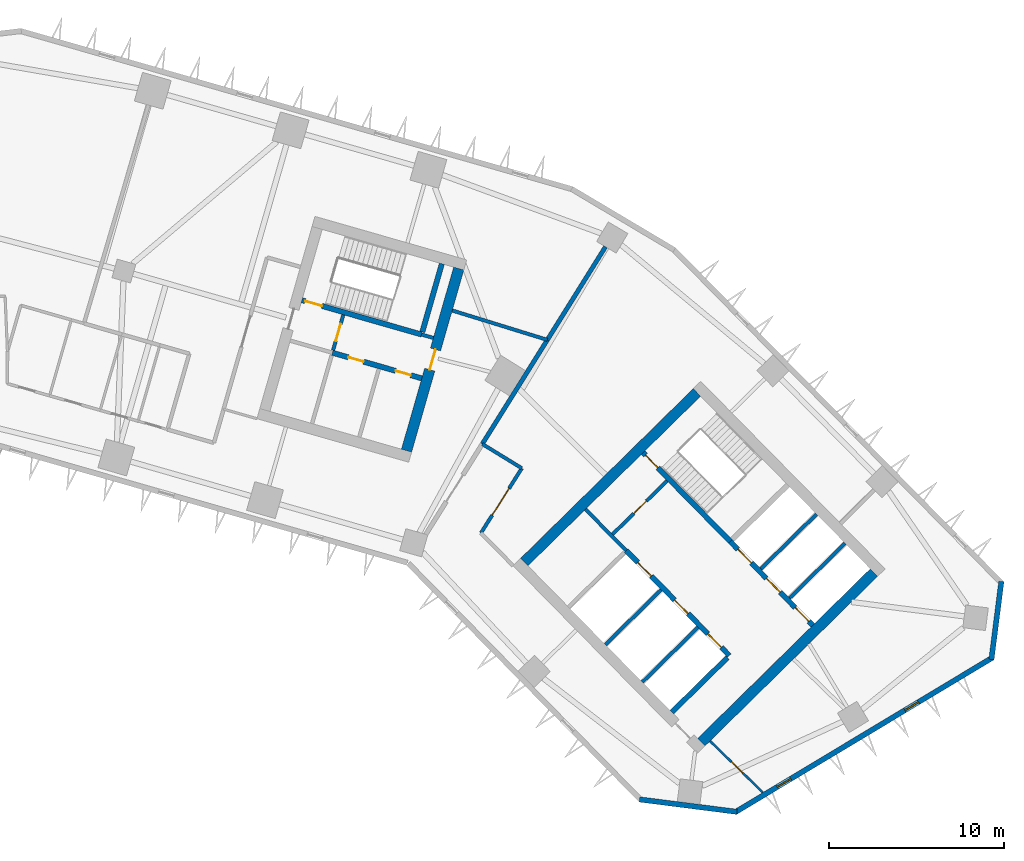
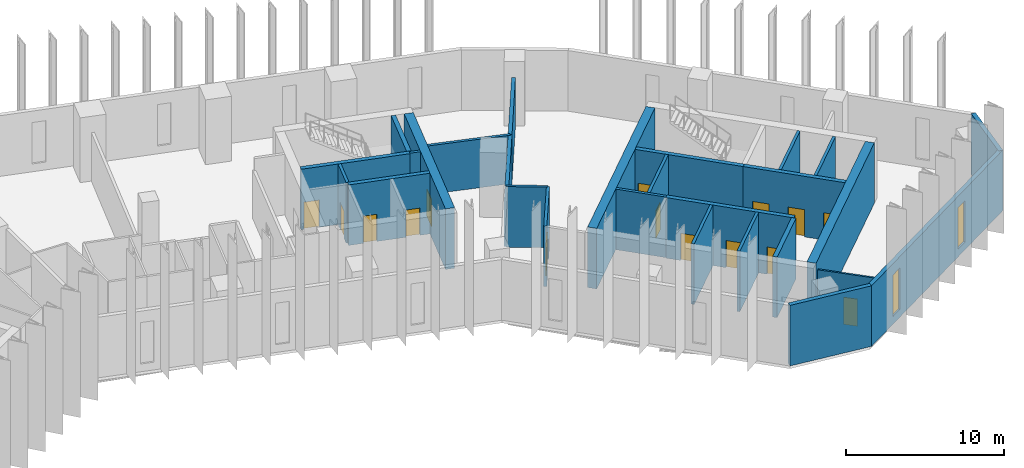
# One storey, part 6 of 11: 27 walls, 15 doors, 2 windows, 17 openings.
"""IFC4 building model written with IfcOpenShell, lengths in metres."""

from ifc_helpers import new_model, si_unit, direction, frame, frame_2d, origin, place, context, subcontext, project, spatial, rectangle, extrude, material, layer, layer_set, type_object, element, fill, save


model = new_model("IFC4")

# Units and contexts
model_context = context("Model", 3, precision=1e-05, world=origin(), true_north=direction((0.0, 1.0)))
body_context = subcontext(model_context, "Body", "Model", "MODEL_VIEW")
ifc_project = project(units=[si_unit("LENGTHUNIT", "METRE"), si_unit("AREAUNIT", "SQUARE_METRE"), si_unit("VOLUMEUNIT", "CUBIC_METRE"), si_unit("PLANEANGLEUNIT", "RADIAN"), si_unit("MASSUNIT", "GRAM", prefix="KILO")], contexts=[model_context])

# Site, building, storey
site_placement = place(None, origin())
site = spatial("IfcSite", under=ifc_project, at=site_placement, CompositionType="ELEMENT")
building_placement = place(site_placement, origin())
building = spatial("IfcBuilding", under=site, at=building_placement, Name="Binnacle Exchange Tower", CompositionType="ELEMENT")
storey_placement = place(building_placement, frame((0.0, 0.0, 46.5)))
storey = spatial("IfcBuildingStorey", under=building, at=storey_placement, Name="L09", CompositionType="ELEMENT", Elevation=46.5)

# Wall, openings, doors
ifc_material_1 = material(Name="Concrete C70/85", Category="concrete")
ifc_layer_1 = layer(ifc_material_1, 0.300048828125)
ifc_layer_set_1 = layer_set([ifc_layer_1], Name="Core wall - front 300")
wall_type_1 = type_object("IfcWallType", Name="Core wall - front 300", PredefinedType="SOLIDWALL", material=ifc_layer_set_1)
wall_1_placement = place(storey_placement, frame((37.8740234375, 41.41552734375, 0.0), z_axis=(0.0, 0.0, 1.0), x_axis=(0.700918271237, -0.71324159795, 0.0)))
wall_1 = element("IfcWall", 1, at=wall_1_placement, inside=storey, type_object=wall_type_1, Name="Core wall CRWB3", PredefinedType="SOLIDWALL", context=body_context, shape_type="SweptSolid", body=[
    extrude(rectangle(XDim=8.39990234375, YDim=0.300048828125, at=frame_2d((4.199951171875, 0.0))), origin(), (0.0, 0.0, 1.0), 4.679931640625),
])
opening_1_placement = place(wall_1_placement, frame((0.949951171875, 0.0, 0.0)))
opening_1 = element("IfcOpeningElement", 2, at=opening_1_placement, cuts=wall_1, Name="Opening LD15", PredefinedType="OPENING", context=body_context, shape_type="SweptSolid", body=[
    extrude(rectangle(XDim=1.10009765625, YDim=2.10009765625, at=frame_2d((0.550048828125, 1.050048828125))), frame((0.0, 0.159912109375, 0.0), z_axis=(0.0, -1.0, 0.0), x_axis=(1.0, 0.0, 0.0)), (0.0, 0.0, 1.0), 0.320068359375),
])
opening_2_placement = place(wall_1_placement, frame((3.949951171875, 0.0, 0.0)))
opening_2 = element("IfcOpeningElement", 3, at=opening_2_placement, cuts=wall_1, Name="Opening LD16", PredefinedType="OPENING", context=body_context, shape_type="SweptSolid", body=[
    extrude(rectangle(XDim=1.10009765625, YDim=2.10009765625, at=frame_2d((0.550048828125, 1.050048828125))), frame((0.0, 0.159912109375, 0.0), z_axis=(0.0, -1.0, 0.0), x_axis=(1.0, 0.0, 0.0)), (0.0, 0.0, 1.0), 0.320068359375),
])
opening_3_placement = place(wall_1_placement, frame((6.64990234375, 0.0, 0.0)))
opening_3 = element("IfcOpeningElement", 4, at=opening_3_placement, cuts=wall_1, Name="Opening LD4", PredefinedType="OPENING", context=body_context, shape_type="SweptSolid", body=[
    extrude(rectangle(XDim=1.10009765625, YDim=2.10009765625, at=frame_2d((0.550048828125, 1.050048828125))), frame((0.0, 0.159912109375, 0.0), z_axis=(0.0, -1.0, 0.0), x_axis=(1.0, 0.0, 0.0)), (0.0, 0.0, 1.0), 0.320068359375),
])
ifc_material_2 = material(Name="Steel door leaf", Category="steel")
door_type_1 = type_object("IfcDoorType", Name="Fire door - lift landing 1100", OperationType="NOTDEFINED", PredefinedType="DOOR", material=ifc_material_2)
door_1_placement = place(opening_1_placement, origin())
door_1 = element("IfcDoor", 5, at=door_1_placement, inside=storey, type_object=door_type_1, Name="Landing door LD15 L09", OperationType="DOUBLE_DOOR_SLIDING", OverallHeight=2.10009765625, OverallWidth=1.10009765625, PredefinedType="DOOR", context=body_context, shape_type="SweptSolid", body=[
    extrude(rectangle(XDim=1.10009765625, YDim=2.10009765625, at=frame_2d((0.550048828125, 1.050048828125))), frame((0.0, 0.02490234375, 0.0), z_axis=(0.0, -1.0, 0.0), x_axis=(1.0, 0.0, 0.0)), (0.0, 0.0, 1.0), 0.050048828125),
])
fill(opening_1, door_1)
door_2_placement = place(opening_2_placement, origin())
door_2 = element("IfcDoor", 6, at=door_2_placement, inside=storey, type_object=door_type_1, Name="Landing door LD16 L09", OperationType="DOUBLE_DOOR_SLIDING", OverallHeight=2.10009765625, OverallWidth=1.10009765625, PredefinedType="DOOR", context=body_context, shape_type="SweptSolid", body=[
    extrude(rectangle(XDim=1.10009765625, YDim=2.10009765625, at=frame_2d((0.550048828125, 1.050048828125))), frame((0.0, 0.02490234375, 0.0), z_axis=(0.0, -1.0, 0.0), x_axis=(1.0, 0.0, 0.0)), (0.0, 0.0, 1.0), 0.050048828125),
])
fill(opening_2, door_2)
door_3_placement = place(opening_3_placement, origin())
door_3 = element("IfcDoor", 7, at=door_3_placement, inside=storey, type_object=door_type_1, Name="Landing door LD4 L09", OperationType="DOUBLE_DOOR_SLIDING", OverallHeight=2.10009765625, OverallWidth=1.10009765625, PredefinedType="DOOR", context=body_context, shape_type="SweptSolid", body=[
    extrude(rectangle(XDim=1.10009765625, YDim=2.10009765625, at=frame_2d((0.550048828125, 1.050048828125))), frame((0.0, 0.02490234375, 0.0), z_axis=(0.0, -1.0, 0.0), x_axis=(1.0, 0.0, 0.0)), (0.0, 0.0, 1.0), 0.050048828125),
])
fill(opening_3, door_3)

wall_2_placement = place(storey_placement, frame((43.818603515625, 41.92919921875, 0.0), z_axis=(0.0, 0.0, 1.0), x_axis=(0.700921619155, -0.713238307862, 0.0)))
wall_2 = element("IfcWall", 8, at=wall_2_placement, inside=storey, type_object=wall_type_1, Name="Core wall CRWB5", PredefinedType="SOLIDWALL", context=body_context, shape_type="SweptSolid", body=[
    extrude(rectangle(XDim=6.69970703125, YDim=0.300048828125, at=frame_2d((3.349853515625, 0.0))), origin(), (0.0, 0.0, 1.0), 4.679931640625),
])
opening_4_placement = place(wall_2_placement, frame((0.614990234375, 0.0, 0.0)))
opening_4 = element("IfcOpeningElement", 9, at=opening_4_placement, cuts=wall_2, Name="Opening LD1", PredefinedType="OPENING", context=body_context, shape_type="SweptSolid", body=[
    extrude(rectangle(XDim=1.10009765625, YDim=2.10009765625, at=frame_2d((0.550048828125, 1.050048828125))), frame((0.0, 0.159912109375, 0.0), z_axis=(0.0, -1.0, 0.0), x_axis=(1.0, 0.0, 0.0)), (0.0, 0.0, 1.0), 0.320068359375),
])
opening_5_placement = place(wall_2_placement, frame((2.945068359375, 0.0, 0.0)))
opening_5 = element("IfcOpeningElement", 10, at=opening_5_placement, cuts=wall_2, Name="Opening LD2", PredefinedType="OPENING", context=body_context, shape_type="SweptSolid", body=[
    extrude(rectangle(XDim=1.10009765625, YDim=2.10009765625, at=frame_2d((0.550048828125, 1.050048828125))), frame((0.0, 0.159912109375, 0.0), z_axis=(0.0, -1.0, 0.0), x_axis=(1.0, 0.0, 0.0)), (0.0, 0.0, 1.0), 0.320068359375),
])
opening_6_placement = place(wall_2_placement, frame((5.280029296875, 0.0, 0.0)))
opening_6 = element("IfcOpeningElement", 11, at=opening_6_placement, cuts=wall_2, Name="Opening LD3", PredefinedType="OPENING", context=body_context, shape_type="SweptSolid", body=[
    extrude(rectangle(XDim=1.10009765625, YDim=2.10009765625, at=frame_2d((0.550048828125, 1.050048828125))), frame((0.0, 0.159912109375, 0.0), z_axis=(0.0, -1.0, 0.0), x_axis=(1.0, 0.0, 0.0)), (0.0, 0.0, 1.0), 0.320068359375),
])
door_4_placement = place(opening_4_placement, origin())
door_4 = element("IfcDoor", 12, at=door_4_placement, inside=storey, type_object=door_type_1, Name="Landing door LD1 L09", OperationType="DOUBLE_DOOR_SLIDING", OverallHeight=2.10009765625, OverallWidth=1.10009765625, PredefinedType="DOOR", context=body_context, shape_type="SweptSolid", body=[
    extrude(rectangle(XDim=1.10009765625, YDim=2.10009765625, at=frame_2d((0.550048828125, 1.050048828125))), frame((0.0, 0.02490234375, 0.0), z_axis=(0.0, -1.0, 0.0), x_axis=(1.0, 0.0, 0.0)), (0.0, 0.0, 1.0), 0.050048828125),
])
fill(opening_4, door_4)
door_5_placement = place(opening_5_placement, origin())
door_5 = element("IfcDoor", 13, at=door_5_placement, inside=storey, type_object=door_type_1, Name="Landing door LD2 L09", OperationType="DOUBLE_DOOR_SLIDING", OverallHeight=2.10009765625, OverallWidth=1.10009765625, PredefinedType="DOOR", context=body_context, shape_type="SweptSolid", body=[
    extrude(rectangle(XDim=1.10009765625, YDim=2.10009765625, at=frame_2d((0.550048828125, 1.050048828125))), frame((0.0, 0.02490234375, 0.0), z_axis=(0.0, -1.0, 0.0), x_axis=(1.0, 0.0, 0.0)), (0.0, 0.0, 1.0), 0.050048828125),
])
fill(opening_5, door_5)
door_6_placement = place(opening_6_placement, origin())
door_6 = element("IfcDoor", 14, at=door_6_placement, inside=storey, type_object=door_type_1, Name="Landing door LD3 L09", OperationType="DOUBLE_DOOR_SLIDING", OverallHeight=2.10009765625, OverallWidth=1.10009765625, PredefinedType="DOOR", context=body_context, shape_type="SweptSolid", body=[
    extrude(rectangle(XDim=1.10009765625, YDim=2.10009765625, at=frame_2d((0.550048828125, 1.050048828125))), frame((0.0, 0.02490234375, 0.0), z_axis=(0.0, -1.0, 0.0), x_axis=(1.0, 0.0, 0.0)), (0.0, 0.0, 1.0), 0.050048828125),
])
fill(opening_6, door_6)

# Wall
wall_3_placement = place(storey_placement, frame((40.480712890625, 32.199951171875, 0.0), z_axis=(0.0, 0.0, 1.0), x_axis=(0.713251741427, 0.700907949271, 0.0)))
element("IfcWall", 15, at=wall_3_placement, inside=storey, type_object=wall_type_1, Name="Core wall CRWB14", PredefinedType="SOLIDWALL", context=body_context, shape_type="SweptSolid", body=[
    extrude(rectangle(XDim=4.4501953125, YDim=0.300048828125, at=frame_2d((2.22509765625, 0.0))), origin(), (0.0, 0.0, 1.0), 4.679931640625),
])

# Wall, openings, doors
wall_4_placement = place(storey_placement, frame((21.130859375, 52.6923828125, 0.0), z_axis=(0.0, 0.0, 1.0), x_axis=(0.961271492568, -0.275603188616, 0.0)))
wall_4 = element("IfcWall", 16, at=wall_4_placement, inside=storey, type_object=wall_type_1, Name="Core wall CRWD3", PredefinedType="SOLIDWALL", context=body_context, shape_type="SweptSolid", body=[
    extrude(rectangle(XDim=5.300048828125, YDim=0.300048828125, at=frame_2d((2.64990234375, 0.0))), origin(), (0.0, 0.0, 1.0), 4.679931640625),
])
opening_7_placement = place(wall_4_placement, frame((0.949951171875, 0.0, 0.0)))
opening_7 = element("IfcOpeningElement", 17, at=opening_7_placement, cuts=wall_4, Name="Opening DD10", PredefinedType="OPENING", context=body_context, shape_type="SweptSolid", body=[
    extrude(rectangle(XDim=0.89990234375, YDim=2.10009765625, at=frame_2d((0.449951171875, 1.050048828125))), frame((0.0, 0.159912109375, 0.0), z_axis=(0.0, -1.0, 0.0), x_axis=(1.0, 0.0, 0.0)), (0.0, 0.0, 1.0), 0.320068359375),
])
opening_8_placement = place(wall_4_placement, frame((3.75, 0.0, 0.0)))
opening_8 = element("IfcOpeningElement", 18, at=opening_8_placement, cuts=wall_4, Name="Opening DD11", PredefinedType="OPENING", context=body_context, shape_type="SweptSolid", body=[
    extrude(rectangle(XDim=0.89990234375, YDim=2.10009765625, at=frame_2d((0.449951171875, 1.050048828125))), frame((0.0, 0.159912109375, 0.0), z_axis=(0.0, -1.0, 0.0), x_axis=(1.0, 0.0, 0.0)), (0.0, 0.0, 1.0), 0.320068359375),
])
door_type_2 = type_object("IfcDoorType", Name="Fire door 900", OperationType="NOTDEFINED", PredefinedType="DOOR", material=ifc_material_2)
door_7_placement = place(opening_7_placement, frame((0.89990234375, 0.0, 0.0), z_axis=(0.0, 0.0, 1.0), x_axis=(-1.0, 0.0, 0.0)))
door_7 = element("IfcDoor", 19, at=door_7_placement, inside=storey, type_object=door_type_2, Name="Core room door FIBRE ENTRY ROOM", OperationType="SINGLE_SWING_RIGHT", OverallHeight=2.10009765625, OverallWidth=0.89990234375, PredefinedType="DOOR", context=body_context, shape_type="SweptSolid", body=[
    extrude(rectangle(XDim=0.89990234375, YDim=2.10009765625, at=frame_2d((0.449951171875, 1.050048828125))), frame((0.0, 0.02490234375, 0.0), z_axis=(0.0, -1.0, 0.0), x_axis=(1.0, 0.0, 0.0)), (0.0, 0.0, 1.0), 0.050048828125),
])
fill(opening_7, door_7)
door_8_placement = place(opening_8_placement, frame((0.89990234375, 0.0, 0.0), z_axis=(0.0, 0.0, 1.0), x_axis=(-1.0, 0.0, 0.0)))
door_8 = element("IfcDoor", 20, at=door_8_placement, inside=storey, type_object=door_type_2, Name="Core room door ELECTRICAL ROOM", OperationType="SINGLE_SWING_LEFT", OverallHeight=2.10009765625, OverallWidth=0.89990234375, PredefinedType="DOOR", context=body_context, shape_type="SweptSolid", body=[
    extrude(rectangle(XDim=0.89990234375, YDim=2.10009765625, at=frame_2d((0.449951171875, 1.050048828125))), frame((0.0, 0.02490234375, 0.0), z_axis=(0.0, -1.0, 0.0), x_axis=(1.0, 0.0, 0.0)), (0.0, 0.0, 1.0), 0.050048828125),
])
fill(opening_8, door_8)

# Walls
ifc_layer_2 = layer(ifc_material_1, 0.60009765625)
ifc_layer_set_2 = layer_set([ifc_layer_2], Name="Core wall - outer 600")
wall_type_2 = type_object("IfcWallType", Name="Core wall - outer 600", PredefinedType="SOLIDWALL", material=ifc_layer_set_2)
for number, where, z_axis, x_axis, name in (
    (21, (32.06982421875, 40.759033203125, 0.0), (0.0, 0.0, 1.0), (0.713245344712, 0.70091445858, 0.0), "Core wall CRWB7"),
    (22, (42.1630859375, 30.48828125, 0.0), (0.0, 0.0, 1.0), (0.713245344712, 0.70091445858, 0.0), "Core wall CRWB16"),
):
    element("IfcWall", number, at=place(storey_placement, frame(where, z_axis=z_axis, x_axis=x_axis)), inside=storey, type_object=wall_type_2, Name=name, PredefinedType="SOLIDWALL", context=body_context, shape_type="SweptSolid", body=[
        extrude(rectangle(XDim=13.800048828125, YDim=0.60009765625, at=frame_2d((6.89990234375, 0.0))), origin(), (0.0, 0.0, 1.0), 4.679931640625),
    ])

# Wall, opening, door
wall_5_placement = place(storey_placement, frame((25.356201171875, 47.111572265625, 0.0), z_axis=(0.0, 0.0, 1.0), x_axis=(0.275631631629, 0.961263337304, 0.0)))
wall_5 = element("IfcWall", 23, at=wall_5_placement, inside=storey, type_object=wall_type_2, Name="Core wall CRWD12", PredefinedType="SOLIDWALL", context=body_context, shape_type="SweptSolid", body=[
    extrude(rectangle(XDim=10.800048828125, YDim=0.60009765625, at=frame_2d((5.39990234375, 0.0))), origin(), (0.0, 0.0, 1.0), 4.679931640625),
])
opening_9_placement = place(wall_5_placement, frame((4.800048828125, 0.0, 0.0)))
opening_9 = element("IfcOpeningElement", 24, at=opening_9_placement, cuts=wall_5, Name="Opening DD6", PredefinedType="OPENING", context=body_context, shape_type="SweptSolid", body=[
    extrude(rectangle(XDim=1.199951171875, YDim=2.10009765625, at=frame_2d((0.60009765625, 1.050048828125))), frame((0.0, 0.31005859375, 0.0), z_axis=(0.0, -1.0, 0.0), x_axis=(1.0, 0.0, 0.0)), (0.0, 0.0, 1.0), 0.6201171875),
])
door_type_3 = type_object("IfcDoorType", Name="Fire door 1200", OperationType="NOTDEFINED", PredefinedType="DOOR", material=ifc_material_2)
door_9_placement = place(opening_9_placement, frame((1.199951171875, 0.0, 0.0), z_axis=(0.0, 0.0, 1.0), x_axis=(-1.0, 0.0, 0.0)))
door_9 = element("IfcDoor", 25, at=door_9_placement, inside=storey, type_object=door_type_3, Name="Core passage exit door", OperationType="SINGLE_SWING_LEFT", OverallHeight=2.10009765625, OverallWidth=1.199951171875, PredefinedType="DOOR", context=body_context, shape_type="SweptSolid", body=[
    extrude(rectangle(XDim=1.199951171875, YDim=2.10009765625, at=frame_2d((0.60009765625, 1.050048828125))), frame((0.0, 0.02490234375, 0.0), z_axis=(0.0, -1.0, 0.0), x_axis=(1.0, 0.0, 0.0)), (0.0, 0.0, 1.0), 0.050048828125),
])
fill(opening_9, door_9)

ifc_layer_3 = layer(ifc_material_1, 0.300048828125)
ifc_layer_set_3 = layer_set([ifc_layer_3], Name="Core wall - stair 300")
wall_type_3 = type_object("IfcWallType", Name="Core wall - stair 300", PredefinedType="SOLIDWALL", material=ifc_layer_set_3)
wall_6_placement = place(storey_placement, frame((38.842041015625, 46.993408203125, 0.0), z_axis=(0.0, 0.0, 1.0), x_axis=(0.700907701701, -0.713251984713, 0.0)))
wall_6 = element("IfcWall", 26, at=wall_6_placement, inside=storey, type_object=wall_type_3, Name="Core wall CRWB4", PredefinedType="SOLIDWALL", context=body_context, shape_type="SweptSolid", body=[
    extrude(rectangle(XDim=7.10009765625, YDim=0.300048828125, at=frame_2d((3.550048828125, 0.0))), origin(), (0.0, 0.0, 1.0), 4.679931640625),
])
opening_10_placement = place(wall_6_placement, frame((0.199951171875, 0.0, 0.0)))
opening_10 = element("IfcOpeningElement", 27, at=opening_10_placement, cuts=wall_6, Name="Opening DB1", PredefinedType="OPENING", context=body_context, shape_type="SweptSolid", body=[
    extrude(rectangle(XDim=1.0, YDim=2.10009765625, at=frame_2d((0.5, 1.050048828125))), frame((0.0, 0.159912109375, 0.0), z_axis=(0.0, -1.0, 0.0), x_axis=(1.0, 0.0, 0.0)), (0.0, 0.0, 1.0), 0.320068359375),
])
door_type_4 = type_object("IfcDoorType", Name="Fire door 1000", OperationType="NOTDEFINED", PredefinedType="DOOR", material=ifc_material_2)
door_10_placement = place(opening_10_placement, origin())
door_10 = element("IfcDoor", 28, at=door_10_placement, inside=storey, type_object=door_type_4, Name="Stair door ST-B1", OperationType="SINGLE_SWING_LEFT", OverallHeight=2.10009765625, OverallWidth=1.0, PredefinedType="DOOR", context=body_context, shape_type="SweptSolid", body=[
    extrude(rectangle(XDim=1.0, YDim=2.10009765625, at=frame_2d((0.5, 1.050048828125))), frame((0.0, 0.02490234375, 0.0), z_axis=(0.0, -1.0, 0.0), x_axis=(1.0, 0.0, 0.0)), (0.0, 0.0, 1.0), 0.050048828125),
])
fill(opening_10, door_10)

wall_7_placement = place(storey_placement, frame((19.38916015625, 55.688720703125, 0.0), z_axis=(0.0, 0.0, 1.0), x_axis=(0.961261397636, -0.275638396117, 0.0)))
wall_7 = element("IfcWall", 29, at=wall_7_placement, inside=storey, type_object=wall_type_3, Name="Core wall CRWD4", PredefinedType="SOLIDWALL", context=body_context, shape_type="SweptSolid", body=[
    extrude(rectangle(XDim=7.10009765625, YDim=0.300048828125, at=frame_2d((3.550048828125, 0.0))), origin(), (0.0, 0.0, 1.0), 4.679931640625),
])
opening_11_placement = place(wall_7_placement, frame((0.199951171875, 0.0, 0.0)))
opening_11 = element("IfcOpeningElement", 30, at=opening_11_placement, cuts=wall_7, Name="Opening DD1", PredefinedType="OPENING", context=body_context, shape_type="SweptSolid", body=[
    extrude(rectangle(XDim=1.0, YDim=2.10009765625, at=frame_2d((0.5, 1.050048828125))), frame((0.0, 0.159912109375, 0.0), z_axis=(0.0, -1.0, 0.0), x_axis=(1.0, 0.0, 0.0)), (0.0, 0.0, 1.0), 0.320068359375),
])
door_11_placement = place(opening_11_placement, origin())
door_11 = element("IfcDoor", 31, at=door_11_placement, inside=storey, type_object=door_type_4, Name="Stair door ST-D1", OperationType="SINGLE_SWING_LEFT", OverallHeight=2.10009765625, OverallWidth=1.0, PredefinedType="DOOR", context=body_context, shape_type="SweptSolid", body=[
    extrude(rectangle(XDim=1.0, YDim=2.10009765625, at=frame_2d((0.5, 1.050048828125))), frame((0.0, 0.02490234375, 0.0), z_axis=(0.0, -1.0, 0.0), x_axis=(1.0, 0.0, 0.0)), (0.0, 0.0, 1.0), 0.050048828125),
])
fill(opening_11, door_11)

# Walls
wall_8_placement = place(storey_placement, frame((26.255615234375, 53.875732421875, 0.0), z_axis=(0.0, 0.0, 1.0), x_axis=(0.275612739511, 0.961268754209, 0.0)))
element("IfcWall", 32, at=wall_8_placement, inside=storey, type_object=wall_type_3, Name="Core wall CRWD11", PredefinedType="SOLIDWALL", context=body_context, shape_type="SweptSolid", body=[
    extrude(rectangle(XDim=4.0498046875, YDim=0.300048828125, at=frame_2d((2.02490234375, 0.0))), origin(), (0.0, 0.0, 1.0), 4.679931640625),
])
ifc_material_3 = material(Name="Bronze aluminium cladding", Category="aluminium")
ifc_layer_4 = layer(ifc_material_3, 0.300048828125)
ifc_layer_set_4 = layer_set([ifc_layer_4], Name="External wall - spandrel 300")
wall_type_4 = type_object("IfcWallType", Name="External wall - spandrel 300", PredefinedType="STANDARD", material=ifc_layer_set_4)
wall_9_placement = place(storey_placement, frame((44.19580078125, 26.517822265625, 0.0), z_axis=(0.0, 0.0, 1.0), x_axis=(-0.992001881269, 0.126223086474, 0.0)))
element("IfcWall", 33, at=wall_9_placement, inside=storey, type_object=wall_type_4, Name="External wall EW-F10 L09", PredefinedType="STANDARD", context=body_context, shape_type="SweptSolid", body=[
    extrude(rectangle(XDim=5.6015625, YDim=0.300048828125, at=frame_2d((2.80078125, 0.0))), origin(), (0.0, 0.0, 1.0), 4.679931640625),
])

# Wall, openings, windows
wall_10_placement = place(storey_placement, frame((58.7783203125, 35.317626953125, 0.0), z_axis=(0.0, 0.0, 1.0), x_axis=(-0.857168206138, -0.515036568009, 0.0)))
wall_10 = element("IfcWall", 34, at=wall_10_placement, inside=storey, type_object=wall_type_4, Name="External wall EW-F11 L09", PredefinedType="STANDARD", context=body_context, shape_type="SweptSolid", body=[
    extrude(rectangle(XDim=17.124755859375, YDim=0.300048828125, at=frame_2d((8.5625, 0.0))), origin(), (0.0, 0.0, 1.0), 4.679931640625),
])
opening_12_placement = place(wall_10_placement, frame((13.435302734375, 0.0, 0.60009765625)))
opening_12 = element("IfcOpeningElement", 35, at=opening_12_placement, cuts=wall_10, Name="Opening WS1", PredefinedType="OPENING", context=body_context, shape_type="SweptSolid", body=[
    extrude(rectangle(XDim=0.89990234375, YDim=3.199951171875, at=frame_2d((0.449951171875, 1.60009765625))), frame((0.0, 0.159912109375, 0.0), z_axis=(0.0, -1.0, 0.0), x_axis=(1.0, 0.0, 0.0)), (0.0, 0.0, 1.0), 0.320068359375),
])
opening_13_placement = place(wall_10_placement, frame((4.935302734375, 0.0, 0.60009765625)))
opening_13 = element("IfcOpeningElement", 36, at=opening_13_placement, cuts=wall_10, Name="Opening WS1", PredefinedType="OPENING", context=body_context, shape_type="SweptSolid", body=[
    extrude(rectangle(XDim=0.89990234375, YDim=3.199951171875, at=frame_2d((0.449951171875, 1.60009765625))), frame((0.0, 0.159912109375, 0.0), z_axis=(0.0, -1.0, 0.0), x_axis=(1.0, 0.0, 0.0)), (0.0, 0.0, 1.0), 0.320068359375),
])
ifc_material_4 = material(Name="Bronze anodised aluminium frame", Category="aluminium")
window_type = type_object("IfcWindowType", Name="WS1 WINDOW 900x3200", PartitioningType="SINGLE_PANEL", PredefinedType="WINDOW", material=ifc_material_4)
window_1_placement = place(opening_12_placement, origin())
window_1 = element("IfcWindow", 37, at=window_1_placement, inside=storey, type_object=window_type, Name="Window WS1 L09", OverallHeight=3.199951171875, OverallWidth=0.89990234375, PartitioningType="SINGLE_PANEL", PredefinedType="WINDOW", context=body_context, shape_type="SweptSolid", body=[
    extrude(rectangle(XDim=0.89990234375, YDim=3.199951171875, at=frame_2d((0.449951171875, 1.60009765625))), frame((0.0, 0.030029296875, 0.0), z_axis=(0.0, -1.0, 0.0), x_axis=(1.0, 0.0, 0.0)), (0.0, 0.0, 1.0), 0.06005859375),
])
fill(opening_12, window_1)
window_2_placement = place(opening_13_placement, origin())
window_2 = element("IfcWindow", 38, at=window_2_placement, inside=storey, type_object=window_type, Name="Window WS1 L09", OverallHeight=3.199951171875, OverallWidth=0.89990234375, PartitioningType="SINGLE_PANEL", PredefinedType="WINDOW", context=body_context, shape_type="SweptSolid", body=[
    extrude(rectangle(XDim=0.89990234375, YDim=3.199951171875, at=frame_2d((0.449951171875, 1.60009765625))), frame((0.0, 0.030029296875, 0.0), z_axis=(0.0, -1.0, 0.0), x_axis=(1.0, 0.0, 0.0)), (0.0, 0.0, 1.0), 0.06005859375),
])
fill(opening_13, window_2)

# Walls
wall_11_placement = place(storey_placement, frame((59.27197265625, 39.6513671875, 0.0), z_axis=(0.0, 0.0, 1.0), x_axis=(-0.126181137886, -0.992007217938, 0.0)))
element("IfcWall", 39, at=wall_11_placement, inside=storey, type_object=wall_type_4, Name="External wall EW-F12 L09", PredefinedType="STANDARD", context=body_context, shape_type="SweptSolid", body=[
    extrude(rectangle(XDim=4.479248046875, YDim=0.300048828125, at=frame_2d((2.23974609375, 0.0))), origin(), (0.0, 0.0, 1.0), 4.679931640625),
])
ifc_material_5 = material(Name="Masonry block wall", Category="masonry")
ifc_layer_5 = layer(ifc_material_5, 0.199951171875)
ifc_layer_set_5 = layer_set([ifc_layer_5], Name="Fire wall - block 200")
wall_type_5 = type_object("IfcWallType", Name="Fire wall - block 200", PredefinedType="PARTITIONING", material=ifc_layer_set_5)
wall_12_placement = place(storey_placement, frame((27.9599609375, 55.10302734375, 0.0), z_axis=(0.0, 0.0, 1.0), x_axis=(0.955442775069, -0.29517639399, 0.0)))
element("IfcWall", 40, at=wall_12_placement, inside=storey, type_object=wall_type_5, Name="Partition W37", PredefinedType="PARTITIONING", context=body_context, shape_type="SweptSolid", body=[
    extrude(rectangle(XDim=5.677978515625, YDim=0.199951171875, at=frame_2d((2.8388671875, 0.0))), origin(), (0.0, 0.0, 1.0), 3.748046875),
])

# Wall, opening, door
wall_13_placement = place(storey_placement, frame((29.60009765625, 42.416015625, 0.0), z_axis=(0.0, 0.0, 1.0), x_axis=(0.533582711531, 0.84574788794, 0.0)))
wall_13 = element("IfcWall", 41, at=wall_13_placement, inside=storey, type_object=wall_type_5, Name="Partition W39", PredefinedType="PARTITIONING", context=body_context, shape_type="SweptSolid", body=[
    extrude(rectangle(XDim=4.366455078125, YDim=0.199951171875, at=frame_2d((2.18310546875, 0.0))), origin(), (0.0, 0.0, 1.0), 4.679931640625),
])
opening_14_placement = place(wall_13_placement, frame((1.199951171875, 0.0, 0.0)))
opening_14 = element("IfcOpeningElement", 42, at=opening_14_placement, cuts=wall_13, Name="Opening DL08-11", PredefinedType="OPENING", context=body_context, shape_type="SweptSolid", body=[
    extrude(rectangle(XDim=1.800048828125, YDim=2.10009765625, at=frame_2d((0.89990234375, 1.050048828125))), frame((0.0, 0.10986328125, 0.0), z_axis=(0.0, -1.0, 0.0), x_axis=(1.0, 0.0, 0.0)), (0.0, 0.0, 1.0), 0.219970703125),
])
door_type_5 = type_object("IfcDoorType", Name="Fire door 1800", OperationType="NOTDEFINED", PredefinedType="DOOR", material=ifc_material_2)
door_12_placement = place(opening_14_placement, frame((1.800048828125, 0.0, 0.0), z_axis=(0.0, 0.0, 1.0), x_axis=(-1.0, 0.0, 0.0)))
door_12 = element("IfcDoor", 43, at=door_12_placement, inside=storey, type_object=door_type_5, Name="Door DL08-11", OperationType="DOUBLE_DOOR_SINGLE_SWING", OverallHeight=2.10009765625, OverallWidth=1.800048828125, PredefinedType="DOOR", context=body_context, shape_type="SweptSolid", body=[
    extrude(rectangle(XDim=1.800048828125, YDim=2.10009765625, at=frame_2d((0.89990234375, 1.050048828125))), frame((0.0, 0.02490234375, 0.0), z_axis=(0.0, -1.0, 0.0), x_axis=(1.0, 0.0, 0.0)), (0.0, 0.0, 1.0), 0.050048828125),
])
fill(opening_14, door_12)

# Walls
wall_14_placement = place(storey_placement, frame((29.675048828125, 47.490966796875, 0.0), z_axis=(0.0, 0.0, 1.0), x_axis=(0.852591965232, -0.522577210392, 0.0)))
element("IfcWall", 44, at=wall_14_placement, inside=storey, type_object=wall_type_5, Name="Partition W40", PredefinedType="PARTITIONING", context=body_context, shape_type="SweptSolid", body=[
    extrude(rectangle(XDim=2.644775390625, YDim=0.199951171875, at=frame_2d((1.322265625, 0.0))), origin(), (0.0, 0.0, 1.0), 4.679931640625),
])
ifc_material_6 = material(Name="Concrete fire wall C30/37", Category="concrete")
ifc_layer_6 = layer(ifc_material_6, 0.25)
ifc_layer_set_6 = layer_set([ifc_layer_6], Name="Fire wall - compartment 250")
wall_type_6 = type_object("IfcWallType", Name="Fire wall - compartment 250", PredefinedType="PARTITIONING", material=ifc_layer_set_6)
wall_15_placement = place(storey_placement, frame((29.675048828125, 47.490966796875, 0.0), z_axis=(0.0, 0.0, 1.0), x_axis=(0.529992669945, 0.848002222759, 0.0)))
element("IfcWall", 45, at=wall_15_placement, inside=storey, type_object=wall_type_6, Name="Fire Wall W41", PredefinedType="PARTITIONING", context=body_context, shape_type="SweptSolid", body=[
    extrude(rectangle(XDim=7.0, YDim=0.25, at=frame_2d((3.5, 0.0))), origin(), (0.0, 0.0, 1.0), 3.741943359375),
])
wall_16_placement = place(storey_placement, frame((33.385009765625, 53.427001953125, 0.0), z_axis=(0.0, 0.0, 1.0), x_axis=(0.529897235032, 0.848061861131, 0.0)))
element("IfcWall", 46, at=wall_16_placement, inside=storey, type_object=wall_type_6, Name="Fire Wall W42", PredefinedType="PARTITIONING", context=body_context, shape_type="SweptSolid", body=[
    extrude(rectangle(XDim=6.257568359375, YDim=0.25, at=frame_2d((3.12890625, 0.0))), origin(), (0.0, 0.0, 1.0), 3.741943359375),
])

# Wall, opening, door
ifc_layer_7 = layer(ifc_material_5, 0.199951171875)
ifc_layer_set_7 = layer_set([ifc_layer_7], Name="Fire wall - vestibule 200")
wall_type_7 = type_object("IfcWallType", Name="Fire wall - vestibule 200", PredefinedType="PARTITIONING", material=ifc_layer_set_7)
wall_17_placement = place(storey_placement, frame((37.104248046875, 42.341552734375, 0.0), z_axis=(0.0, 0.0, 1.0), x_axis=(0.713281298468, 0.700877870428, 0.0)))
wall_17 = element("IfcWall", 47, at=wall_17_placement, inside=storey, type_object=wall_type_7, Name="Core wall CRWB8", PredefinedType="PARTITIONING", context=body_context, shape_type="SweptSolid", body=[
    extrude(rectangle(XDim=4.35009765625, YDim=0.199951171875, at=frame_2d((2.175048828125, 0.0))), origin(), (0.0, 0.0, 1.0), 4.679931640625),
])
opening_15_placement = place(wall_17_placement, frame((1.699951171875, 0.0, 0.0)))
opening_15 = element("IfcOpeningElement", 48, at=opening_15_placement, cuts=wall_17, Name="Opening DB3", PredefinedType="OPENING", context=body_context, shape_type="SweptSolid", body=[
    extrude(rectangle(XDim=1.0, YDim=2.10009765625, at=frame_2d((0.5, 1.050048828125))), frame((0.0, 0.10986328125, 0.0), z_axis=(0.0, -1.0, 0.0), x_axis=(1.0, 0.0, 0.0)), (0.0, 0.0, 1.0), 0.219970703125),
])
door_13_placement = place(opening_15_placement, origin())
door_13 = element("IfcDoor", 49, at=door_13_placement, inside=storey, type_object=door_type_4, Name="Vestibule door VEST-W", OperationType="SINGLE_SWING_RIGHT", OverallHeight=2.10009765625, OverallWidth=1.0, PredefinedType="DOOR", context=body_context, shape_type="SweptSolid", body=[
    extrude(rectangle(XDim=1.0, YDim=2.10009765625, at=frame_2d((0.5, 1.050048828125))), frame((0.0, 0.02490234375, 0.0), z_axis=(0.0, -1.0, 0.0), x_axis=(1.0, 0.0, 0.0)), (0.0, 0.0, 1.0), 0.050048828125),
])
fill(opening_15, door_13)

wall_18_placement = place(storey_placement, frame((21.172119140625, 52.836669921875, 0.0), z_axis=(0.0, 0.0, 1.0), x_axis=(0.275657676022, 0.961255868981, 0.0)))
wall_18 = element("IfcWall", 50, at=wall_18_placement, inside=storey, type_object=wall_type_7, Name="Core wall CRWD9", PredefinedType="PARTITIONING", context=body_context, shape_type="SweptSolid", body=[
    extrude(rectangle(XDim=2.099853515625, YDim=0.199951171875, at=frame_2d((1.0498046875, 0.0))), origin(), (0.0, 0.0, 1.0), 4.679931640625),
])
opening_16_placement = place(wall_18_placement, frame((0.550048828125, 0.0, 0.0)))
opening_16 = element("IfcOpeningElement", 51, at=opening_16_placement, cuts=wall_18, Name="Opening DD3", PredefinedType="OPENING", context=body_context, shape_type="SweptSolid", body=[
    extrude(rectangle(XDim=1.0, YDim=2.10009765625, at=frame_2d((0.5, 1.050048828125))), frame((0.0, 0.10986328125, 0.0), z_axis=(0.0, -1.0, 0.0), x_axis=(1.0, 0.0, 0.0)), (0.0, 0.0, 1.0), 0.219970703125),
])
door_14_placement = place(opening_16_placement, origin())
door_14 = element("IfcDoor", 52, at=door_14_placement, inside=storey, type_object=door_type_4, Name="Vestibule door VEST-W", OperationType="SINGLE_SWING_RIGHT", OverallHeight=2.10009765625, OverallWidth=1.0, PredefinedType="DOOR", context=body_context, shape_type="SweptSolid", body=[
    extrude(rectangle(XDim=1.0, YDim=2.10009765625, at=frame_2d((0.5, 1.050048828125))), frame((0.0, 0.02490234375, 0.0), z_axis=(0.0, -1.0, 0.0), x_axis=(1.0, 0.0, 0.0)), (0.0, 0.0, 1.0), 0.050048828125),
])
fill(opening_16, door_14)

ifc_material_7 = material(Name="Gypsum partition")
ifc_layer_8 = layer(ifc_material_7, 0.125)
ifc_layer_set_8 = layer_set([ifc_layer_8], Name="Partition 125")
wall_type_8 = type_object("IfcWallType", Name="Partition 125", PredefinedType="PARTITIONING", material=ifc_layer_set_8)
wall_19_placement = place(storey_placement, frame((42.658935546875, 30.554931640625, 0.0), z_axis=(0.0, 0.0, 1.0), x_axis=(0.716925671772, -0.697149611743, 0.0)))
wall_19 = element("IfcWall", 53, at=wall_19_placement, inside=storey, type_object=wall_type_8, Name="Partition W43", PredefinedType="PARTITIONING", context=body_context, shape_type="SweptSolid", body=[
    extrude(rectangle(XDim=4.209716796875, YDim=0.125, at=frame_2d((2.10498046875, 0.0))), origin(), (0.0, 0.0, 1.0), 3.951904296875),
])
opening_17_placement = place(wall_19_placement, frame((1.699951171875, 0.0, 0.0)))
opening_17 = element("IfcOpeningElement", 54, at=opening_17_placement, cuts=wall_19, Name="Opening DL08-12", PredefinedType="OPENING", context=body_context, shape_type="SweptSolid", body=[
    extrude(rectangle(XDim=0.89990234375, YDim=2.10009765625, at=frame_2d((0.449951171875, 1.050048828125))), frame((0.0, 0.072509765625, 0.0), z_axis=(0.0, -1.0, 0.0), x_axis=(1.0, 0.0, 0.0)), (0.0, 0.0, 1.0), 0.14501953125),
])
ifc_material_8 = material(Name="Timber door leaf", Category="wood")
door_type_6 = type_object("IfcDoorType", Name="Door 900", OperationType="NOTDEFINED", PredefinedType="DOOR", material=ifc_material_8)
door_15_placement = place(opening_17_placement, origin())
door_15 = element("IfcDoor", 55, at=door_15_placement, inside=storey, type_object=door_type_6, Name="Door DL08-12", OperationType="SINGLE_SWING_RIGHT", OverallHeight=2.10009765625, OverallWidth=0.89990234375, PredefinedType="DOOR", context=body_context, shape_type="SweptSolid", body=[
    extrude(rectangle(XDim=0.89990234375, YDim=2.10009765625, at=frame_2d((0.449951171875, 1.050048828125))), frame((0.0, 0.02490234375, 0.0), z_axis=(0.0, -1.0, 0.0), x_axis=(1.0, 0.0, 0.0)), (0.0, 0.0, 1.0), 0.050048828125),
])
fill(opening_17, door_15)

# Walls
ifc_layer_9 = layer(ifc_material_5, 0.199951171875)
ifc_layer_set_9 = layer_set([ifc_layer_9], Name="Riser wall 200")
wall_type_9 = type_object("IfcWallType", Name="Riser wall 200", PredefinedType="SOLIDWALL", material=ifc_layer_set_9)
wall_20_placement = place(storey_placement, frame((35.56103515625, 43.769287109375, 0.0), z_axis=(0.0, 0.0, 1.0), x_axis=(0.70090232736, -0.713257266, 0.0)))
element("IfcWall", 56, at=wall_20_placement, inside=storey, type_object=wall_type_9, Name="Core wall CRWB2", PredefinedType="SOLIDWALL", context=body_context, shape_type="SweptSolid", body=[
    extrude(rectangle(XDim=3.300048828125, YDim=0.199951171875, at=frame_2d((1.64990234375, 0.0))), origin(), (0.0, 0.0, 1.0), 4.679931640625),
])
wall_21_placement = place(storey_placement, frame((26.214111328125, 53.731689453125, 0.0), z_axis=(0.0, 0.0, 1.0), x_axis=(0.96122076476, -0.27578005982, 0.0)))
element("IfcWall", 57, at=wall_21_placement, inside=storey, type_object=wall_type_9, Name="Core wall CRWD5", PredefinedType="SOLIDWALL", context=body_context, shape_type="SweptSolid", body=[
    extrude(rectangle(XDim=0.7001953125, YDim=0.199951171875, at=frame_2d((0.35009765625, 0.0))), origin(), (0.0, 0.0, 1.0), 4.679931640625),
])
ifc_layer_10 = layer(ifc_material_5, 0.199951171875)
ifc_layer_set_10 = layer_set([ifc_layer_10], Name="Shaft wall 200")
wall_type_10 = type_object("IfcWallType", Name="Shaft wall 200", PredefinedType="SOLIDWALL", material=ifc_layer_set_10)
for number, where, z_axis, x_axis, name in (
    (58, (36.69580078125, 36.051513671875, 0.0), (0.0, 0.0, 1.0), (0.713251741427, 0.700907949271, 0.0), "Core wall CRWB10"),
    (59, (38.798583984375, 33.911865234375, 0.0), (0.0, 0.0, 1.0), (0.713251741427, 0.700907949271, 0.0), "Core wall CRWB12"),
    (60, (45.55859375, 40.37255859375, 0.0), (0.0, 0.0, 1.0), (0.713251741427, 0.700907949271, 0.0), "Core wall CRWB13"),
    (61, (47.191650390625, 38.710693359375, 0.0), (0.0, 0.0, 1.0), (0.713251741427, 0.700907949271, 0.0), "Core wall CRWB15"),
):
    element("IfcWall", number, at=place(storey_placement, frame(where, z_axis=z_axis, x_axis=x_axis)), inside=storey, type_object=wall_type_10, Name=name, PredefinedType="SOLIDWALL", context=body_context, shape_type="SweptSolid", body=[
        extrude(rectangle(XDim=4.4501953125, YDim=0.199951171875, at=frame_2d((2.22509765625, 0.0))), origin(), (0.0, 0.0, 1.0), 4.679931640625),
    ])

save(model, "model.ifc")
